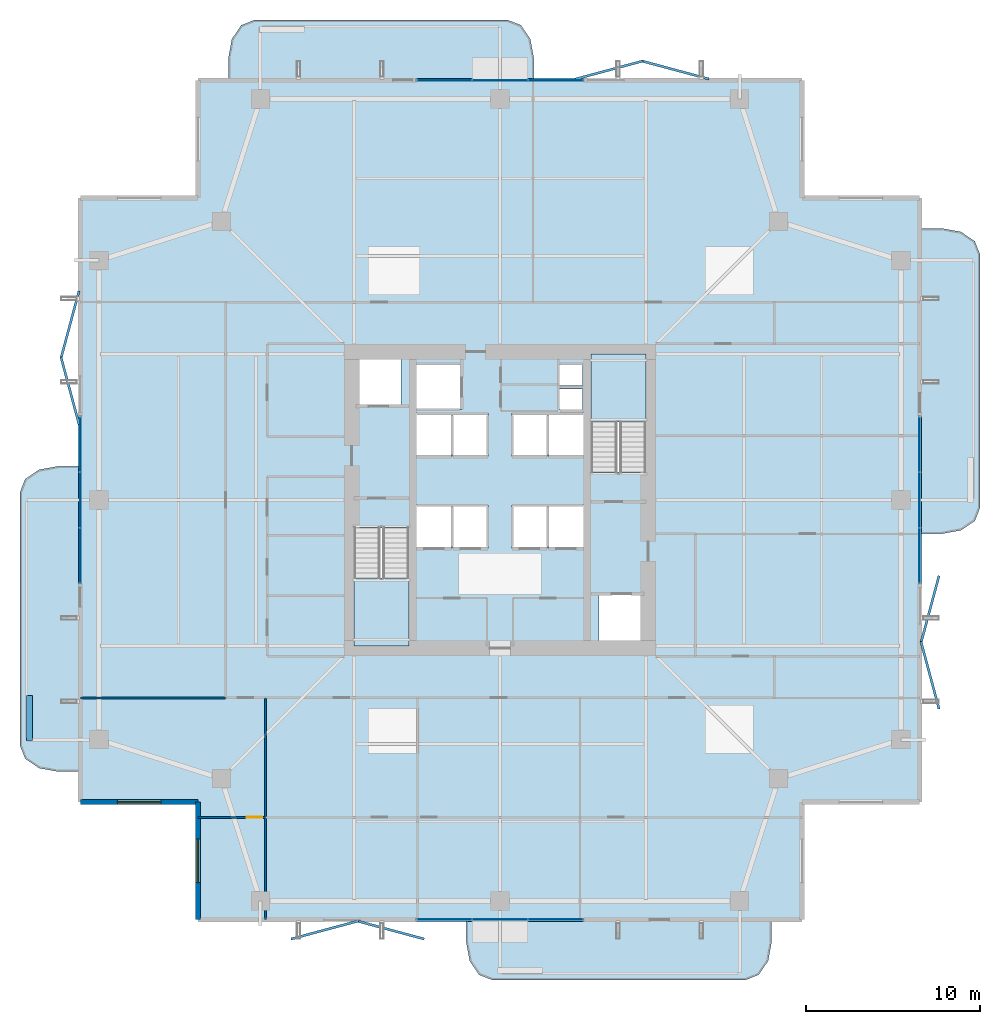
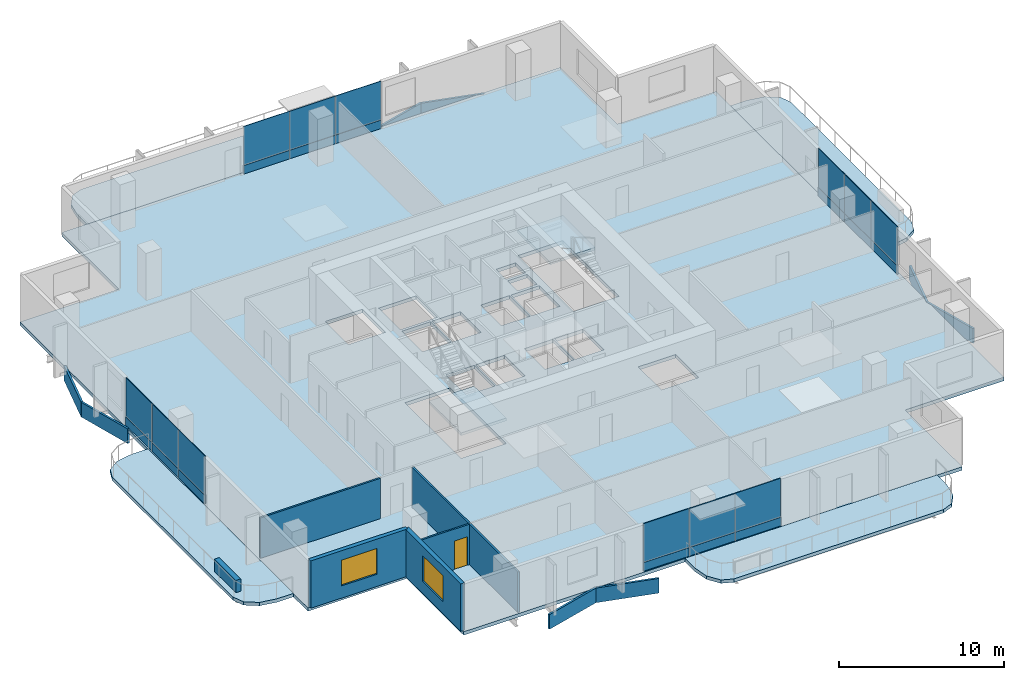
# One storey, part 17 of 25: 32 plates, 7 slabs, 6 walls, 2 windows, 1 door, 3 openings, 6 elements without a shape of their own.
"""IFC4 building model written with IfcOpenShell, lengths in metres."""

import ifcopenshell
import ifcopenshell.guid

model = None  # the IFC model being written
_history = None  # IfcOwnerHistory: only IFC2X3 demands one
_inside = {}  # id of a spatial element -> (the spatial element, [elements in it])
_under = {}  # id of a project, library or spatial element -> (it, [spatial elements below it])
_declared = {}  # id of a project -> (the project, [libraries it declares])
_typed = {}  # id of a type object -> (the type object, [elements of that type])
_made_of = {}  # id of a material, layer set ... -> (it, [elements and type objects made of it])


def new_model(schema):
    """Start an empty IFC model of exactly this schema.

    Asked for "IFC4X3", IfcOpenShell would pick the latest addendum, in which some entities
    have other attributes; the version numbers below select the first issue.
    IFC2X3 requires an IfcOwnerHistory on every rooted entity: one is made here for all.
    """
    global model, _history
    if schema == "IFC4X3":
        model = ifcopenshell.file(schema_version=(4, 3, 0, 0))
    else:
        model = ifcopenshell.file(schema=schema)
    _inside.clear()
    _under.clear()
    _declared.clear()
    _typed.clear()
    _made_of.clear()
    _history = None
    if model.schema == "IFC2X3":
        org = make("IfcOrganization", Name="unknown")
        user = make(
            "IfcPersonAndOrganization",
            ThePerson=make("IfcPerson", FamilyName="unknown"),
            TheOrganization=org,
        )
        app = make(
            "IfcApplication",
            ApplicationDeveloper=org,
            Version="unknown",
            ApplicationFullName="unknown",
            ApplicationIdentifier="unknown",
        )
        _history = make(
            "IfcOwnerHistory",
            OwningUser=user,
            OwningApplication=app,
            ChangeAction="ADDED",
            CreationDate=0,
        )
    return model


def make(cls, **values):
    """One entity of the class cls with the attributes given. An attribute that is None is left unset."""
    return model.create_entity(
        cls, **{name: value for name, value in values.items() if value is not None}
    )


def rooted(cls, **values):
    """An entity with a GlobalId (a new one), such as an element, a storey or a relation."""
    return make(cls, GlobalId=ifcopenshell.guid.new(), OwnerHistory=_history, **values)


def si_unit(unit_type, name, prefix=None):
    """IfcSIUnit, for example si_unit("LENGTHUNIT", "METRE", prefix="MILLI")."""
    return make("IfcSIUnit", UnitType=unit_type, Prefix=prefix, Name=name)


def assignment(units):
    """IfcUnitAssignment: the units of a project."""
    return None if units is None else make("IfcUnitAssignment", Units=units)


def point(xyz):
    """IfcCartesianPoint."""
    return None if xyz is None else make("IfcCartesianPoint", Coordinates=xyz)


def direction(xyz):
    """IfcDirection."""
    return None if xyz is None else make("IfcDirection", DirectionRatios=xyz)


def frame(location, z_axis=None, x_axis=None):
    """IfcAxis2Placement3D, a coordinate frame: its origin and axes. An axis left out is left unset."""
    return make(
        "IfcAxis2Placement3D",
        Location=point(location),
        Axis=direction(z_axis),
        RefDirection=direction(x_axis),
    )


def frame_2d(location, x_axis=None):
    """IfcAxis2Placement2D, a coordinate frame in the plane: its origin and x axis."""
    return make(
        "IfcAxis2Placement2D", Location=point(location), RefDirection=direction(x_axis)
    )


def origin():
    """The frame at (0, 0, 0) with its axes left unset."""
    return frame((0.0, 0.0, 0.0))


def origin_2d():
    """The frame at (0, 0) in the plane with its x axis left unset."""
    return frame_2d((0.0, 0.0))


def place(relative_to, where):
    """IfcLocalPlacement: puts the frame where relative to a parent placement (None: the world)."""
    return make(
        "IfcLocalPlacement", PlacementRelTo=relative_to, RelativePlacement=where
    )


def context(
    kind, dimensions, precision=None, world=None, true_north=None, identifier=None
):
    """IfcGeometricRepresentationContext, for example the 3D "Model" context."""
    return make(
        "IfcGeometricRepresentationContext",
        ContextIdentifier=identifier,
        ContextType=kind,
        CoordinateSpaceDimension=dimensions,
        Precision=precision,
        WorldCoordinateSystem=world,
        TrueNorth=true_north,
    )


def subcontext(parent, identifier, kind, view, scale=None):
    """IfcGeometricRepresentationSubContext, for example "Body" below "Model"."""
    return make(
        "IfcGeometricRepresentationSubContext",
        ContextIdentifier=identifier,
        ContextType=kind,
        ParentContext=parent,
        TargetScale=scale,
        TargetView=view,
    )


def project(units=None, contexts=None):
    """IfcProject with its units and contexts."""
    return rooted(
        "IfcProject",
        Name="project",
        RepresentationContexts=contexts,
        UnitsInContext=assignment(units),
    )


def spatial(cls, under=None, at=None, **own):
    """A site, building, storey or space (cls), placed at a placement, below another one or the project."""
    s = rooted(cls, ObjectPlacement=at, **own)
    if under is not None:
        _under.setdefault(under.id(), (under, []))[1].append(s)
    return s


def polyline(points):
    """IfcPolyline through the points."""
    return make("IfcPolyline", Points=[point(p) for p in points])


def profile(cls, at=None, kind="AREA", **sizes):
    """A parametric profile (cls). Its sizes go by their IFC names, for example OverallWidth=200.0."""
    return make(cls, ProfileType=kind, Position=at, **sizes)


def rectangle(**sizes):
    """IfcRectangleProfileDef."""
    return profile("IfcRectangleProfileDef", **sizes)


def outline(outer, holes=None, kind="AREA"):
    """IfcArbitraryClosedProfileDef: a profile drawn as a closed curve; with holes, ...WithVoids."""
    if holes is None:
        return make("IfcArbitraryClosedProfileDef", ProfileType=kind, OuterCurve=outer)
    return make(
        "IfcArbitraryProfileDefWithVoids",
        ProfileType=kind,
        OuterCurve=outer,
        InnerCurves=holes,
    )


def extrude(swept, where, along, depth):
    """IfcExtrudedAreaSolid: the profile swept, set in the frame where, extruded along a direction by depth."""
    return make(
        "IfcExtrudedAreaSolid",
        SweptArea=swept,
        Position=where,
        ExtrudedDirection=direction(along),
        Depth=depth,
    )


def shape(context_of_items, identifier, shape_type, items):
    """IfcShapeRepresentation: the items that make up one representation, for example the "Body"."""
    return make(
        "IfcShapeRepresentation",
        ContextOfItems=context_of_items,
        RepresentationIdentifier=identifier,
        RepresentationType=shape_type,
        Items=items,
    )


def material(Name=None, Category=None):
    """IfcMaterial."""
    return make("IfcMaterial", Name=Name, Category=Category)


def layer(
    of_material, thickness, ventilated=None, Name=None, Category=None, Priority=None
):
    """IfcMaterialLayer: one layer of a wall or slab, of a material (None: an air gap)."""
    return make(
        "IfcMaterialLayer",
        Material=of_material,
        LayerThickness=thickness,
        IsVentilated=ventilated,
        Name=Name,
        Category=Category,
        Priority=Priority,
    )


def layer_set(layers, Name=None):
    """IfcMaterialLayerSet."""
    return make("IfcMaterialLayerSet", MaterialLayers=layers, LayerSetName=Name)


def made_of(thing, what):
    """Note that an element or type object is made of a material, layer set ...; save() writes the relation."""
    if what is not None:
        _made_of.setdefault(what.id(), (what, []))[1].append(thing)
    return thing


def type_object(cls, material=None, **own):
    """A type object (cls), such as IfcWallType, which elements share."""
    return made_of(rooted(cls, **own), material)


def element(
    cls,
    number,
    at=None,
    inside=None,
    cuts=None,
    type_object=None,
    material=None,
    context=None,
    identifier="Body",
    shape_type=None,
    held_by="IfcProductDefinitionShape",
    body=None,
    shapes=None,
    **own,
):
    """One element of the class cls, such as IfcWall. Its Tag is "e" and its number.

    at: its placement. inside: the storey or other place that contains it. cuts: it is an
    opening in that element (IfcRelVoidsElement). A single representation is given by context,
    identifier, shape_type and body (its items); several are given by shapes. held_by: the class
    of the entity that holds the representations. save() writes the other relations.
    """
    e = rooted(cls, Tag="e%d" % number, ObjectPlacement=at, **own)
    if body is not None:
        shapes = [shape(context, identifier, shape_type, body)]
    if shapes is not None:
        e.Representation = make(held_by, Representations=shapes)
    if inside is not None:
        _inside.setdefault(inside.id(), (inside, []))[1].append(e)
    if cuts is not None:
        rooted(
            "IfcRelVoidsElement", RelatingBuildingElement=cuts, RelatedOpeningElement=e
        )
    if type_object is not None:
        _typed.setdefault(type_object.id(), (type_object, []))[1].append(e)
    return made_of(e, material)


def fill(opening, filler):
    """IfcRelFillsElement: the door or window that sits in an opening."""
    return rooted(
        "IfcRelFillsElement",
        RelatingOpeningElement=opening,
        RelatedBuildingElement=filler,
    )


def aggregate(whole, parts):
    """IfcRelAggregates: a whole, such as a stair, and the parts it consists of."""
    return rooted("IfcRelAggregates", RelatingObject=whole, RelatedObjects=parts)


def save(model, path):
    """Write the relations noted so far, then the file.

    IfcRelAggregates (storeys below a building ...), IfcRelContainedInSpatialStructure (elements
    in a storey), IfcRelDefinesByType, IfcRelAssociatesMaterial and IfcRelDeclares: one each for
    every whole, place, type object, material and project.
    """
    for whole, parts in _under.values():
        aggregate(whole, parts)
    for where, things in _inside.values():
        rooted(
            "IfcRelContainedInSpatialStructure",
            RelatedElements=things,
            RelatingStructure=where,
        )
    for kind, things in _typed.values():
        rooted("IfcRelDefinesByType", RelatedObjects=things, RelatingType=kind)
    for what, things in _made_of.values():
        rooted("IfcRelAssociatesMaterial", RelatedObjects=things, RelatingMaterial=what)
    for by, libraries in _declared.values():
        rooted("IfcRelDeclares", RelatingContext=by, RelatedDefinitions=libraries)
    model.write(path)


model = new_model("IFC4")

# Units and contexts
model_context = context("Model", 3, precision=1e-05, world=origin(), true_north=direction((0.0, 1.0)))
body_context = subcontext(model_context, "Body", "Model", "MODEL_VIEW")
ifc_project = project(units=[si_unit("LENGTHUNIT", "METRE"), si_unit("AREAUNIT", "SQUARE_METRE"), si_unit("VOLUMEUNIT", "CUBIC_METRE"), si_unit("PLANEANGLEUNIT", "RADIAN"), si_unit("MASSUNIT", "GRAM", prefix="KILO")], contexts=[model_context])

# Site, building, storey
site_placement = place(None, origin())
site = spatial("IfcSite", under=ifc_project, at=site_placement, CompositionType="ELEMENT")
building_placement = place(site_placement, origin())
building = spatial("IfcBuilding", under=site, at=building_placement, Name="Belovzor Exchange Tower", CompositionType="ELEMENT")
storey_placement = place(building_placement, frame((0.0, 0.0, 187.050048828125)))
storey = spatial("IfcBuildingStorey", under=building, at=storey_placement, Name="L46", CompositionType="ELEMENT", Elevation=187.050048828125)

# Slab
ifc_material_1 = material(Name="Concrete C40/50", Category="concrete")
ifc_layer_1 = layer(ifc_material_1, 0.2548828125)
ifc_layer_set_1 = layer_set([ifc_layer_1], Name="Concrete C40/50")
slab_type_1 = type_object("IfcSlabType", Name="Composite Waist Floor Deck Slab 255", PredefinedType="FLOOR", material=ifc_layer_set_1)
slab_1_placement = place(storey_placement, frame((0.0, 0.0, -0.255126953125)))
element("IfcSlab", 1, at=slab_1_placement, inside=storey, type_object=slab_type_1, Name="SL-F255 Structural Slab L46", PredefinedType="FLOOR", context=body_context, shape_type="SweptSolid", body=[
    extrude(outline(polyline([(11.39990234375, 4.5), (46.199951171875, 4.5), (46.199951171875, 11.39990234375), (53.10009765625, 11.39990234375), (53.10009765625, 46.199951171875), (46.199951171875, 46.199951171875), (46.199951171875, 53.10009765625), (11.39990234375, 53.10009765625), (11.39990234375, 46.199951171875), (4.5, 46.199951171875), (4.5, 11.39990234375), (11.39990234375, 11.39990234375), (11.39990234375, 4.5)]), holes=[polyline([(20.39990234375, 27.175048828125), (20.39990234375, 20.39990234375), (23.550048828125, 20.39990234375), (23.550048828125, 27.175048828125), (20.39990234375, 27.175048828125)]), polyline([(37.199951171875, 30.425048828125), (37.199951171875, 37.199951171875), (34.050048828125, 37.199951171875), (34.050048828125, 30.425048828125), (37.199951171875, 30.425048828125)]), polyline([(20.5, 34.199951171875), (23.10009765625, 34.199951171875), (23.10009765625, 37.0), (20.5, 37.0), (20.5, 34.199951171875)]), polyline([(34.5, 20.60009765625), (37.10009765625, 20.60009765625), (37.10009765625, 23.39990234375), (34.5, 23.39990234375), (34.5, 20.60009765625)]), polyline([(24.0, 34.0), (26.60009765625, 34.0), (26.60009765625, 36.60009765625), (24.0, 36.60009765625), (24.0, 34.0)]), polyline([(24.0, 26.0), (26.0, 26.0), (26.0, 28.5), (24.0, 28.5), (24.0, 26.0)]), polyline([(26.10009765625, 26.0), (28.10009765625, 26.0), (28.10009765625, 28.5), (26.10009765625, 28.5), (26.10009765625, 26.0)]), polyline([(29.5, 26.0), (31.5, 26.0), (31.5, 28.5), (29.5, 28.5), (29.5, 26.0)]), polyline([(31.60009765625, 26.0), (33.60009765625, 26.0), (33.60009765625, 28.5), (31.60009765625, 28.5), (31.60009765625, 26.0)]), polyline([(24.0, 31.300048828125), (26.0, 31.300048828125), (26.0, 33.800048828125), (24.0, 33.800048828125), (24.0, 31.300048828125)]), polyline([(26.10009765625, 31.300048828125), (28.10009765625, 31.300048828125), (28.10009765625, 33.800048828125), (26.10009765625, 33.800048828125), (26.10009765625, 31.300048828125)]), polyline([(29.5, 31.300048828125), (31.5, 31.300048828125), (31.5, 33.800048828125), (29.5, 33.800048828125), (29.5, 31.300048828125)]), polyline([(31.60009765625, 31.300048828125), (33.60009765625, 31.300048828125), (33.60009765625, 33.800048828125), (31.60009765625, 33.800048828125), (31.60009765625, 31.300048828125)]), polyline([(32.199951171875, 34.0), (33.550048828125, 34.0), (33.550048828125, 35.199951171875), (32.199951171875, 35.199951171875), (32.199951171875, 34.0)]), polyline([(32.199951171875, 35.39990234375), (33.550048828125, 35.39990234375), (33.550048828125, 36.60009765625), (32.199951171875, 36.60009765625), (32.199951171875, 35.39990234375)])]), origin(), (0.0, 0.0, 1.0), 0.255126953125),
])

# Curtain wall, plates
ifc_material_2 = material(Name="Anodised Aluminium Framing", Category="aluminium")
ifc_layer_2 = layer(ifc_material_2, 0.179931640625)
ifc_layer_set_2 = layer_set([ifc_layer_2], Name="Anodised Aluminium Framing")
curtain_wall_type = type_object("IfcCurtainWallType", Name="Recessed Loggia Low-Iron Triple-Glazed Curtain Wall", PredefinedType="NOTDEFINED", material=ifc_layer_set_2)
curtain_wall_1_placement = place(storey_placement, origin())
curtain_wall_1 = element("IfcCurtainWall", 2, at=curtain_wall_1_placement, inside=storey, type_object=curtain_wall_type, Name="CW3 Recessed Loggia Low-Iron Triple-Glazed Curtain Wall L46", PredefinedType="NOTDEFINED")
ifc_material_3 = material(Name="Solar-Control Triple Glazing", Category="glass")
ifc_layer_3 = layer(ifc_material_3, 0.0439453125)
ifc_layer_set_3 = layer_set([ifc_layer_3], Name="Solar-Control Triple Glazing")
plate_type_1 = type_object("IfcPlateType", Name="Insulated Solar Glazing Curtain Panel 44", PredefinedType="CURTAIN_PANEL", material=ifc_layer_set_3)
plate_1_placement = place(storey_placement, frame((32.0, 4.6298828125, 0.630859375), z_axis=(0.0, 0.0, 1.0), x_axis=(-1.0, 0.0, 0.0)))
plate_1 = element("IfcPlate", 3, at=plate_1_placement, type_object=plate_type_1, Name="GLZ-44 Glazed Curtain Panel 1", PredefinedType="CURTAIN_PANEL", context=body_context, shape_type="SweptSolid", body=[
    extrude(rectangle(XDim=3.18408203125, YDim=0.0439453125, at=origin_2d()), origin(), (0.0, 0.0, 1.0), 2.864013671875),
])
plate_2_placement = place(storey_placement, frame((28.800048828125, 4.6298828125, 0.630859375), z_axis=(0.0, 0.0, 1.0), x_axis=(-1.0, 0.0, 0.0)))
plate_2 = element("IfcPlate", 4, at=plate_2_placement, type_object=plate_type_1, Name="GLZ-44 Glazed Curtain Panel 2", PredefinedType="CURTAIN_PANEL", context=body_context, shape_type="SweptSolid", body=[
    extrude(rectangle(XDim=3.18408203125, YDim=0.0439453125, at=origin_2d()), origin(), (0.0, 0.0, 1.0), 2.864013671875),
])
plate_3_placement = place(storey_placement, frame((25.60009765625, 4.6298828125, 0.630859375), z_axis=(0.0, 0.0, 1.0), x_axis=(-1.0, 0.0, 0.0)))
plate_3 = element("IfcPlate", 5, at=plate_3_placement, type_object=plate_type_1, Name="GLZ-44 Glazed Curtain Panel 3", PredefinedType="CURTAIN_PANEL", context=body_context, shape_type="SweptSolid", body=[
    extrude(rectangle(XDim=3.18408203125, YDim=0.0439453125, at=origin_2d()), origin(), (0.0, 0.0, 1.0), 2.864013671875),
])

curtain_wall_2_placement = place(storey_placement, origin())
curtain_wall_2 = element("IfcCurtainWall", 6, at=curtain_wall_2_placement, inside=storey, type_object=curtain_wall_type, Name="CW3 Recessed Loggia Low-Iron Triple-Glazed Curtain Wall L46", PredefinedType="NOTDEFINED")
plate_4_placement = place(storey_placement, frame((25.60009765625, 52.969970703125, 0.630859375), z_axis=(0.0, 0.0, 1.0), x_axis=(1.0, 0.0, 0.0)))
plate_4 = element("IfcPlate", 7, at=plate_4_placement, type_object=plate_type_1, Name="GLZ-44 Glazed Curtain Panel 1", PredefinedType="CURTAIN_PANEL", context=body_context, shape_type="SweptSolid", body=[
    extrude(rectangle(XDim=3.18408203125, YDim=0.0439453125, at=origin_2d()), origin(), (0.0, 0.0, 1.0), 2.864013671875),
])
plate_5_placement = place(storey_placement, frame((28.800048828125, 52.969970703125, 0.630859375), z_axis=(0.0, 0.0, 1.0), x_axis=(1.0, 0.0, 0.0)))
plate_5 = element("IfcPlate", 8, at=plate_5_placement, type_object=plate_type_1, Name="GLZ-44 Glazed Curtain Panel 2", PredefinedType="CURTAIN_PANEL", context=body_context, shape_type="SweptSolid", body=[
    extrude(rectangle(XDim=3.18408203125, YDim=0.0439453125, at=origin_2d()), origin(), (0.0, 0.0, 1.0), 2.864013671875),
])
plate_6_placement = place(storey_placement, frame((32.0, 52.969970703125, 0.630859375), z_axis=(0.0, 0.0, 1.0), x_axis=(1.0, 0.0, 0.0)))
plate_6 = element("IfcPlate", 9, at=plate_6_placement, type_object=plate_type_1, Name="GLZ-44 Glazed Curtain Panel 3", PredefinedType="CURTAIN_PANEL", context=body_context, shape_type="SweptSolid", body=[
    extrude(rectangle(XDim=3.18408203125, YDim=0.0439453125, at=origin_2d()), origin(), (0.0, 0.0, 1.0), 2.864013671875),
])

curtain_wall_3_placement = place(storey_placement, origin())
curtain_wall_3 = element("IfcCurtainWall", 10, at=curtain_wall_3_placement, inside=storey, type_object=curtain_wall_type, Name="CW3 Recessed Loggia Low-Iron Triple-Glazed Curtain Wall L46", PredefinedType="NOTDEFINED")
plate_7_placement = place(storey_placement, frame((4.6298828125, 25.60009765625, 0.630859375), z_axis=(0.0, 0.0, 1.0), x_axis=(0.0, 1.0, 0.0)))
plate_7 = element("IfcPlate", 11, at=plate_7_placement, type_object=plate_type_1, Name="GLZ-44 Glazed Curtain Panel 1", PredefinedType="CURTAIN_PANEL", context=body_context, shape_type="SweptSolid", body=[
    extrude(rectangle(XDim=3.18408203125, YDim=0.0439453125, at=origin_2d()), origin(), (0.0, 0.0, 1.0), 2.864013671875),
])
plate_8_placement = place(storey_placement, frame((4.6298828125, 28.800048828125, 0.630859375), z_axis=(0.0, 0.0, 1.0), x_axis=(0.0, 1.0, 0.0)))
plate_8 = element("IfcPlate", 12, at=plate_8_placement, type_object=plate_type_1, Name="GLZ-44 Glazed Curtain Panel 2", PredefinedType="CURTAIN_PANEL", context=body_context, shape_type="SweptSolid", body=[
    extrude(rectangle(XDim=3.18408203125, YDim=0.0439453125, at=origin_2d()), origin(), (0.0, 0.0, 1.0), 2.864013671875),
])
plate_9_placement = place(storey_placement, frame((4.6298828125, 32.0, 0.630859375), z_axis=(0.0, 0.0, 1.0), x_axis=(0.0, 1.0, 0.0)))
plate_9 = element("IfcPlate", 13, at=plate_9_placement, type_object=plate_type_1, Name="GLZ-44 Glazed Curtain Panel 3", PredefinedType="CURTAIN_PANEL", context=body_context, shape_type="SweptSolid", body=[
    extrude(rectangle(XDim=3.18408203125, YDim=0.0439453125, at=origin_2d()), origin(), (0.0, 0.0, 1.0), 2.864013671875),
])

curtain_wall_4_placement = place(storey_placement, origin())
curtain_wall_4 = element("IfcCurtainWall", 14, at=curtain_wall_4_placement, inside=storey, type_object=curtain_wall_type, Name="CW3 Recessed Loggia Low-Iron Triple-Glazed Curtain Wall L46", PredefinedType="NOTDEFINED")
plate_10_placement = place(storey_placement, frame((52.969970703125, 32.0, 0.630859375), z_axis=(0.0, 0.0, 1.0), x_axis=(0.0, -1.0, 0.0)))
plate_10 = element("IfcPlate", 15, at=plate_10_placement, type_object=plate_type_1, Name="GLZ-44 Glazed Curtain Panel 1", PredefinedType="CURTAIN_PANEL", context=body_context, shape_type="SweptSolid", body=[
    extrude(rectangle(XDim=3.18408203125, YDim=0.0439453125, at=origin_2d()), origin(), (0.0, 0.0, 1.0), 2.864013671875),
])
plate_11_placement = place(storey_placement, frame((52.969970703125, 28.800048828125, 0.630859375), z_axis=(0.0, 0.0, 1.0), x_axis=(0.0, -1.0, 0.0)))
plate_11 = element("IfcPlate", 16, at=plate_11_placement, type_object=plate_type_1, Name="GLZ-44 Glazed Curtain Panel 2", PredefinedType="CURTAIN_PANEL", context=body_context, shape_type="SweptSolid", body=[
    extrude(rectangle(XDim=3.18408203125, YDim=0.0439453125, at=origin_2d()), origin(), (0.0, 0.0, 1.0), 2.864013671875),
])
plate_12_placement = place(storey_placement, frame((52.969970703125, 25.60009765625, 0.630859375), z_axis=(0.0, 0.0, 1.0), x_axis=(0.0, -1.0, 0.0)))
plate_12 = element("IfcPlate", 17, at=plate_12_placement, type_object=plate_type_1, Name="GLZ-44 Glazed Curtain Panel 3", PredefinedType="CURTAIN_PANEL", context=body_context, shape_type="SweptSolid", body=[
    extrude(rectangle(XDim=3.18408203125, YDim=0.0439453125, at=origin_2d()), origin(), (0.0, 0.0, 1.0), 2.864013671875),
])

# Plates
ifc_material_4 = material(Name="Extruded Architectural Terracotta", Category="masonry")
ifc_layer_4 = layer(ifc_material_4, 0.139892578125)
ifc_layer_set_4 = layer_set([ifc_layer_4], Name="Extruded Architectural Terracotta")
plate_type_2 = type_object("IfcPlateType", Name="Mid-Tower Folded Zigzag Terracotta Spandrel Louvre 120", PredefinedType="USERDEFINED", material=ifc_layer_set_4)
for number, where, z_axis, x_axis, name in (
    (18, (18.699951171875, 4.030029296875, -1.065185546875), (0.0, 0.0, 1.0), (0.965812803231, 0.259240485101, 0.0), "LVR-ZZ2 Zigzag Terracotta Spandrel Louvre L46 S1A"),
    (19, (22.5, 4.030029296875, -1.065185546875), (0.0, 0.0, 1.0), (0.965812803231, -0.259240485101, 0.0), "LVR-ZZ2 Zigzag Terracotta Spandrel Louvre L46 S1B"),
    (20, (53.570068359375, 18.699951171875, -1.065185546875), (0.0, 0.0, 1.0), (-0.259240485101, 0.965812803231, 0.0), "LVR-ZZ2 Zigzag Terracotta Spandrel Louvre L46 E1A"),
    (21, (53.570068359375, 22.5, -1.065185546875), (0.0, 0.0, 1.0), (0.259240485101, 0.965812803231, 0.0), "LVR-ZZ2 Zigzag Terracotta Spandrel Louvre L46 E1B"),
    (22, (35.10009765625, 53.570068359375, -1.065185546875), (0.0, 0.0, 1.0), (0.965812803231, 0.259240485101, 0.0), "LVR-ZZ2 Zigzag Terracotta Spandrel Louvre L46 N2A"),
    (23, (38.89990234375, 53.570068359375, -1.065185546875), (0.0, 0.0, 1.0), (0.965812803231, -0.259240485101, 0.0), "LVR-ZZ2 Zigzag Terracotta Spandrel Louvre L46 N2B"),
    (24, (4.030029296875, 35.10009765625, -1.065185546875), (0.0, 0.0, 1.0), (-0.259240485101, 0.965812803231, 0.0), "LVR-ZZ2 Zigzag Terracotta Spandrel Louvre L46 W2A"),
    (25, (4.030029296875, 38.89990234375, -1.065185546875), (0.0, 0.0, 1.0), (0.259240485101, 0.965812803231, 0.0), "LVR-ZZ2 Zigzag Terracotta Spandrel Louvre L46 W2B"),
):
    element("IfcPlate", number, at=place(storey_placement, frame(where, z_axis=z_axis, x_axis=x_axis)), inside=storey, type_object=plate_type_2, Name=name, ObjectType="SPANDREL_LOUVRE", PredefinedType="USERDEFINED", context=body_context, shape_type="SweptSolid", body=[
        extrude(rectangle(XDim=4.014892578125, YDim=0.139892578125, at=origin_2d()), origin(), (0.0, 0.0, 1.0), 1.080078125),
    ])

# Stair, slab
ifc_material_5 = material(Name="Concrete C40/50", Category="concrete")
stair_type = type_object("IfcStairType", Name="Reinforced Concrete Dogleg Escape Stair 1350", PredefinedType="HALF_TURN_STAIR", material=ifc_material_5)
stair_1_placement = place(storey_placement, origin())
stair_1 = element("IfcStair", 26, at=stair_1_placement, inside=storey, type_object=stair_type, Name="L46 ST-1", PredefinedType="HALF_TURN_STAIR")
ifc_material_6 = material(Name="Concrete C40/50", Category="concrete")
ifc_layer_5 = layer(ifc_material_6, 0.199951171875)
ifc_layer_set_5 = layer_set([ifc_layer_5], Name="Concrete C40/50")
slab_type_2 = type_object("IfcSlabType", Name="Reinforced Concrete Stair Half-Landing Slab 200", PredefinedType="LANDING", material=ifc_layer_set_5)
slab_2_placement = place(storey_placement, frame((0.0, 0.0, 1.675048828125)))
slab_2 = element("IfcSlab", 27, at=slab_2_placement, type_object=slab_type_2, Name="ST-1 landing 1", PredefinedType="LANDING", context=body_context, shape_type="SweptSolid", body=[
    extrude(outline(polyline([(20.39990234375, 24.300048828125), (20.39990234375, 20.39990234375), (23.550048828125, 20.39990234375), (23.550048828125, 24.300048828125), (20.39990234375, 24.300048828125)])), origin(), (0.0, 0.0, 1.0), 0.199951171875),
])
aggregate(stair_1, [slab_2])

stair_2_placement = place(storey_placement, origin())
stair_2 = element("IfcStair", 28, at=stair_2_placement, inside=storey, type_object=stair_type, Name="L46 ST-2", PredefinedType="HALF_TURN_STAIR")
slab_3_placement = place(storey_placement, frame((0.0, 0.0, 1.675048828125)))
slab_3 = element("IfcSlab", 29, at=slab_3_placement, type_object=slab_type_2, Name="ST-2 landing 1", PredefinedType="LANDING", context=body_context, shape_type="SweptSolid", body=[
    extrude(outline(polyline([(37.199951171875, 33.300048828125), (37.199951171875, 37.199951171875), (34.050048828125, 37.199951171875), (34.050048828125, 33.300048828125), (37.199951171875, 33.300048828125)])), origin(), (0.0, 0.0, 1.0), 0.199951171875),
])
aggregate(stair_2, [slab_3])

# Plate
ifc_material_7 = material(Name="Extruded Architectural Terracotta", Category="masonry")
ifc_layer_6 = layer(ifc_material_7, 0.090087890625)
ifc_layer_set_6 = layer_set([ifc_layer_6], Name="Extruded Architectural Terracotta")
plate_type_3 = type_object("IfcPlateType", Name="Terracotta Shadow-Box Spandrel Panel 90", PredefinedType="CURTAIN_PANEL", material=ifc_layer_set_6)
plate_13_placement = place(storey_placement, frame((32.0, 4.6298828125, 0.00048828125), z_axis=(0.0, 0.0, 1.0), x_axis=(-1.0, 0.0, 0.0)))
plate_13 = element("IfcPlate", 30, at=plate_13_placement, type_object=plate_type_3, Name="SPD-90 Spandrel Panel 1", PredefinedType="CURTAIN_PANEL", context=body_context, shape_type="SweptSolid", body=[
    extrude(rectangle(XDim=3.18408203125, YDim=0.090087890625, at=origin_2d()), origin(), (0.0, 0.0, 1.0), 0.626953125),
])

plate_14_placement = place(storey_placement, frame((28.800048828125, 4.6298828125, 0.00048828125), z_axis=(0.0, 0.0, 1.0), x_axis=(-1.0, 0.0, 0.0)))
plate_14 = element("IfcPlate", 31, at=plate_14_placement, type_object=plate_type_3, Name="SPD-90 Spandrel Panel 2", PredefinedType="CURTAIN_PANEL", context=body_context, shape_type="SweptSolid", body=[
    extrude(rectangle(XDim=3.18408203125, YDim=0.090087890625, at=origin_2d()), origin(), (0.0, 0.0, 1.0), 0.626953125),
])

plate_15_placement = place(storey_placement, frame((25.60009765625, 4.6298828125, 0.00048828125), z_axis=(0.0, 0.0, 1.0), x_axis=(-1.0, 0.0, 0.0)))
plate_15 = element("IfcPlate", 32, at=plate_15_placement, type_object=plate_type_3, Name="SPD-90 Spandrel Panel 3", PredefinedType="CURTAIN_PANEL", context=body_context, shape_type="SweptSolid", body=[
    extrude(rectangle(XDim=3.18408203125, YDim=0.090087890625, at=origin_2d()), origin(), (0.0, 0.0, 1.0), 0.626953125),
])

aggregate(curtain_wall_1, [plate_13, plate_1, plate_14, plate_2, plate_15, plate_3])

plate_16_placement = place(storey_placement, frame((25.60009765625, 52.969970703125, 0.00048828125), z_axis=(0.0, 0.0, 1.0), x_axis=(1.0, 0.0, 0.0)))
plate_16 = element("IfcPlate", 33, at=plate_16_placement, type_object=plate_type_3, Name="SPD-90 Spandrel Panel 1", PredefinedType="CURTAIN_PANEL", context=body_context, shape_type="SweptSolid", body=[
    extrude(rectangle(XDim=3.18408203125, YDim=0.090087890625, at=origin_2d()), origin(), (0.0, 0.0, 1.0), 0.626953125),
])

plate_17_placement = place(storey_placement, frame((28.800048828125, 52.969970703125, 0.00048828125), z_axis=(0.0, 0.0, 1.0), x_axis=(1.0, 0.0, 0.0)))
plate_17 = element("IfcPlate", 34, at=plate_17_placement, type_object=plate_type_3, Name="SPD-90 Spandrel Panel 2", PredefinedType="CURTAIN_PANEL", context=body_context, shape_type="SweptSolid", body=[
    extrude(rectangle(XDim=3.18408203125, YDim=0.090087890625, at=origin_2d()), origin(), (0.0, 0.0, 1.0), 0.626953125),
])

plate_18_placement = place(storey_placement, frame((32.0, 52.969970703125, 0.00048828125), z_axis=(0.0, 0.0, 1.0), x_axis=(1.0, 0.0, 0.0)))
plate_18 = element("IfcPlate", 35, at=plate_18_placement, type_object=plate_type_3, Name="SPD-90 Spandrel Panel 3", PredefinedType="CURTAIN_PANEL", context=body_context, shape_type="SweptSolid", body=[
    extrude(rectangle(XDim=3.18408203125, YDim=0.090087890625, at=origin_2d()), origin(), (0.0, 0.0, 1.0), 0.626953125),
])

aggregate(curtain_wall_2, [plate_16, plate_4, plate_17, plate_5, plate_18, plate_6])

plate_19_placement = place(storey_placement, frame((4.6298828125, 25.60009765625, 0.00048828125), z_axis=(0.0, 0.0, 1.0), x_axis=(0.0, 1.0, 0.0)))
plate_19 = element("IfcPlate", 36, at=plate_19_placement, type_object=plate_type_3, Name="SPD-90 Spandrel Panel 1", PredefinedType="CURTAIN_PANEL", context=body_context, shape_type="SweptSolid", body=[
    extrude(rectangle(XDim=3.18408203125, YDim=0.090087890625, at=origin_2d()), origin(), (0.0, 0.0, 1.0), 0.626953125),
])

plate_20_placement = place(storey_placement, frame((4.6298828125, 28.800048828125, 0.00048828125), z_axis=(0.0, 0.0, 1.0), x_axis=(0.0, 1.0, 0.0)))
plate_20 = element("IfcPlate", 37, at=plate_20_placement, type_object=plate_type_3, Name="SPD-90 Spandrel Panel 2", PredefinedType="CURTAIN_PANEL", context=body_context, shape_type="SweptSolid", body=[
    extrude(rectangle(XDim=3.18408203125, YDim=0.090087890625, at=origin_2d()), origin(), (0.0, 0.0, 1.0), 0.626953125),
])

plate_21_placement = place(storey_placement, frame((4.6298828125, 32.0, 0.00048828125), z_axis=(0.0, 0.0, 1.0), x_axis=(0.0, 1.0, 0.0)))
plate_21 = element("IfcPlate", 38, at=plate_21_placement, type_object=plate_type_3, Name="SPD-90 Spandrel Panel 3", PredefinedType="CURTAIN_PANEL", context=body_context, shape_type="SweptSolid", body=[
    extrude(rectangle(XDim=3.18408203125, YDim=0.090087890625, at=origin_2d()), origin(), (0.0, 0.0, 1.0), 0.626953125),
])

aggregate(curtain_wall_3, [plate_19, plate_7, plate_20, plate_8, plate_21, plate_9])

plate_22_placement = place(storey_placement, frame((52.969970703125, 32.0, 0.00048828125), z_axis=(0.0, 0.0, 1.0), x_axis=(0.0, -1.0, 0.0)))
plate_22 = element("IfcPlate", 39, at=plate_22_placement, type_object=plate_type_3, Name="SPD-90 Spandrel Panel 1", PredefinedType="CURTAIN_PANEL", context=body_context, shape_type="SweptSolid", body=[
    extrude(rectangle(XDim=3.18408203125, YDim=0.090087890625, at=origin_2d()), origin(), (0.0, 0.0, 1.0), 0.626953125),
])

plate_23_placement = place(storey_placement, frame((52.969970703125, 28.800048828125, 0.00048828125), z_axis=(0.0, 0.0, 1.0), x_axis=(0.0, -1.0, 0.0)))
plate_23 = element("IfcPlate", 40, at=plate_23_placement, type_object=plate_type_3, Name="SPD-90 Spandrel Panel 2", PredefinedType="CURTAIN_PANEL", context=body_context, shape_type="SweptSolid", body=[
    extrude(rectangle(XDim=3.18408203125, YDim=0.090087890625, at=origin_2d()), origin(), (0.0, 0.0, 1.0), 0.626953125),
])

plate_24_placement = place(storey_placement, frame((52.969970703125, 25.60009765625, 0.00048828125), z_axis=(0.0, 0.0, 1.0), x_axis=(0.0, -1.0, 0.0)))
plate_24 = element("IfcPlate", 41, at=plate_24_placement, type_object=plate_type_3, Name="SPD-90 Spandrel Panel 3", PredefinedType="CURTAIN_PANEL", context=body_context, shape_type="SweptSolid", body=[
    extrude(rectangle(XDim=3.18408203125, YDim=0.090087890625, at=origin_2d()), origin(), (0.0, 0.0, 1.0), 0.626953125),
])

aggregate(curtain_wall_4, [plate_22, plate_10, plate_23, plate_11, plate_24, plate_12])

# Slabs
ifc_material_8 = material(Name="Concrete C40/50", Category="concrete")
ifc_layer_7 = layer(ifc_material_8, 0.25)
ifc_layer_set_7 = layer_set([ifc_layer_7], Name="Concrete C40/50")
slab_type_3 = type_object("IfcSlabType", Name="Thermally Broken Planted Balcony Slab 250", PredefinedType="FLOOR", material=ifc_layer_set_7)
slab_4_placement = place(storey_placement, frame((0.0, 0.0, -0.25)))
element("IfcSlab", 42, at=slab_4_placement, inside=storey, type_object=slab_type_3, Name="SL-BAL220 Planted Balcony Loggia L46 South", PredefinedType="FLOOR", context=body_context, shape_type="SweptSolid", body=[
    extrude(outline(polyline([(26.85009765625, 4.514892578125), (26.85009765625, 3.35009765625), (27.051025390625, 2.25), (27.60009765625, 1.445068359375), (28.35009765625, 1.14990234375), (42.949951171875, 1.14990234375), (43.699951171875, 1.445068359375), (44.2490234375, 2.25), (44.449951171875, 3.35009765625), (44.449951171875, 4.514892578125), (26.85009765625, 4.514892578125)])), origin(), (0.0, 0.0, 1.0), 0.25),
])
slab_5_placement = place(storey_placement, frame((0.0, 0.0, -0.25)))
element("IfcSlab", 43, at=slab_5_placement, inside=storey, type_object=slab_type_3, Name="SL-BAL220 Planted Balcony Loggia L46 North", PredefinedType="FLOOR", context=body_context, shape_type="SweptSolid", body=[
    extrude(outline(polyline([(30.75, 53.0849609375), (30.75, 54.25), (30.549072265625, 55.35009765625), (30.0, 56.155029296875), (29.25, 56.449951171875), (14.64990234375, 56.449951171875), (13.89990234375, 56.155029296875), (13.35107421875, 55.35009765625), (13.14990234375, 54.25), (13.14990234375, 53.0849609375), (30.75, 53.0849609375)])), origin(), (0.0, 0.0, 1.0), 0.25),
])
slab_6_placement = place(storey_placement, frame((0.0, 0.0, -0.25)))
element("IfcSlab", 44, at=slab_6_placement, inside=storey, type_object=slab_type_3, Name="SL-BAL220 Planted Balcony Loggia L46 East", PredefinedType="FLOOR", context=body_context, shape_type="SweptSolid", body=[
    extrude(outline(polyline([(53.0849609375, 26.85009765625), (54.25, 26.85009765625), (55.35009765625, 27.051025390625), (56.155029296875, 27.60009765625), (56.449951171875, 28.35009765625), (56.449951171875, 42.949951171875), (56.155029296875, 43.699951171875), (55.35009765625, 44.2490234375), (54.25, 44.449951171875), (53.0849609375, 44.449951171875), (53.0849609375, 26.85009765625)])), origin(), (0.0, 0.0, 1.0), 0.25),
])
slab_7_placement = place(storey_placement, frame((0.0, 0.0, -0.25)))
element("IfcSlab", 45, at=slab_7_placement, inside=storey, type_object=slab_type_3, Name="SL-BAL220 Planted Balcony Loggia L46 West", PredefinedType="FLOOR", context=body_context, shape_type="SweptSolid", body=[
    extrude(outline(polyline([(4.514892578125, 30.75), (3.35009765625, 30.75), (2.25, 30.549072265625), (1.445068359375, 30.0), (1.14990234375, 29.25), (1.14990234375, 14.64990234375), (1.445068359375, 13.89990234375), (2.25, 13.35107421875), (3.35009765625, 13.14990234375), (4.514892578125, 13.14990234375), (4.514892578125, 30.75)])), origin(), (0.0, 0.0, 1.0), 0.25),
])

# Wall, opening, door
ifc_material_9 = material(Name="Acoustic Plasterboard on Galvanised Studs", Category="gypsum")
ifc_layer_8 = layer(ifc_material_9, 0.1201171875)
ifc_layer_set_8 = layer_set([ifc_layer_8], Name="Acoustic Plasterboard on Galvanised Studs")
wall_type_1 = type_object("IfcWallType", Name="Acoustic Double-Stud Partition Wall 120", PredefinedType="PARTITIONING", material=ifc_layer_set_8)
wall_1_placement = place(storey_placement, frame((11.39990234375, 10.51708984375, 0.0), z_axis=(0.0, 0.0, 1.0), x_axis=(1.0, 0.0, 0.0)))
wall_1 = element("IfcWall", 46, at=wall_1_placement, inside=storey, type_object=wall_type_1, Name="W-P120 Partition Wall W-L46-SHDIV-0", PredefinedType="PARTITIONING", context=body_context, shape_type="SweptSolid", body=[
    extrude(rectangle(XDim=3.900146484375, YDim=0.1201171875, at=frame_2d((1.9501953125, 0.0))), origin(), (0.0, 0.0, 1.0), 2.97998046875),
])
opening_1_placement = place(wall_1_placement, frame((2.800048828125, 0.0, 0.0)))
opening_1 = element("IfcOpeningElement", 47, at=opening_1_placement, cuts=wall_1, Name="Opening D-INT-090", PredefinedType="OPENING", context=body_context, shape_type="SweptSolid", body=[
    extrude(rectangle(XDim=0.89990234375, YDim=2.10009765625, at=frame_2d((0.449951171875, 1.050048828125))), frame((0.0, 0.070068359375, 0.0), z_axis=(0.0, -1.0, 0.0), x_axis=(1.0, 0.0, 0.0)), (0.0, 0.0, 1.0), 0.14013671875),
])
ifc_material_10 = material(Name="Veneered Hardwood Acoustic Leaf", Category="wood")
door_type = type_object("IfcDoorType", Name="Trading Suite Acoustic Single Door 900x2100", OperationType="NOTDEFINED", PredefinedType="DOOR", material=ifc_material_10)
door_placement = place(opening_1_placement, origin())
door = element("IfcDoor", 48, at=door_placement, inside=storey, type_object=door_type, Name="D-INT-090 Trading Suite Acoustic Single Door 900x2100", OperationType="SINGLE_SWING_LEFT", OverallHeight=2.10009765625, OverallWidth=0.89990234375, PredefinedType="DOOR", context=body_context, shape_type="SweptSolid", body=[
    extrude(rectangle(XDim=0.89990234375, YDim=2.10009765625, at=frame_2d((0.449951171875, 1.050048828125))), frame((0.0, 0.02490234375, 0.0), z_axis=(0.0, -1.0, 0.0), x_axis=(1.0, 0.0, 0.0)), (0.0, 0.0, 1.0), 0.050048828125),
])
fill(opening_1, door)

# Walls
wall_2_placement = place(storey_placement, frame((15.300048828125, 4.6298828125, 0.0), z_axis=(0.0, 0.0, 1.0), x_axis=(0.0, 1.0, 0.0)))
element("IfcWall", 49, at=wall_2_placement, inside=storey, type_object=wall_type_1, Name="W-P120 Partition Wall W-L46-SDIV-1", PredefinedType="PARTITIONING", context=body_context, shape_type="SweptSolid", body=[
    extrude(rectangle(XDim=12.77001953125, YDim=0.1201171875, at=frame_2d((6.385009765625, 0.0))), origin(), (0.0, 0.0, 1.0), 2.97998046875),
])
wall_3_placement = place(storey_placement, frame((4.6298828125, 17.39990234375, 0.0), z_axis=(0.0, 0.0, 1.0), x_axis=(1.0, 0.0, 0.0)))
element("IfcWall", 50, at=wall_3_placement, inside=storey, type_object=wall_type_1, Name="W-P120 Partition Wall W-L46-END-SW", PredefinedType="PARTITIONING", context=body_context, shape_type="SweptSolid", body=[
    extrude(rectangle(XDim=8.3701171875, YDim=0.1201171875, at=frame_2d((4.18505859375, 0.0))), origin(), (0.0, 0.0, 1.0), 2.97998046875),
])

# Wall, opening, window
ifc_material_11 = material(Name="Precast concrete C40/50", Category="concrete")
ifc_layer_9 = layer(ifc_material_11, 0.280029296875)
ifc_layer_set_9 = layer_set([ifc_layer_9], Name="Precast concrete C40/50")
wall_type_2 = type_object("IfcWallType", Name="Precast Concrete Notched Corner Frame Wall 280", PredefinedType="SOLIDWALL", material=ifc_layer_set_9)
wall_4_placement = place(storey_placement, frame((11.39990234375, 4.6298828125, 0.0), z_axis=(0.0, 0.0, 1.0), x_axis=(0.0, 1.0, 0.0)))
wall_4 = element("IfcWall", 51, at=wall_4_placement, inside=storey, type_object=wall_type_2, Name="W-CRN280 Precast Concrete Notched Corner Frame Wall 280 L46", PredefinedType="SOLIDWALL", context=body_context, shape_type="SweptSolid", body=[
    extrude(rectangle(XDim=6.77001953125, YDim=0.280029296875, at=frame_2d((3.385009765625, 0.0))), origin(), (0.0, 0.0, 1.0), 3.494873046875),
])
opening_2_placement = place(wall_4_placement, frame((2.135009765625, 0.0, 0.89990234375)))
opening_2 = element("IfcOpeningElement", 52, at=opening_2_placement, cuts=wall_4, Name="Opening WN-CRN250", PredefinedType="OPENING", context=body_context, shape_type="SweptSolid", body=[
    extrude(rectangle(XDim=2.5, YDim=1.89990234375, at=frame_2d((1.25, 0.949951171875))), frame((0.0, 0.14990234375, 0.0), z_axis=(0.0, -1.0, 0.0), x_axis=(1.0, 0.0, 0.0)), (0.0, 0.0, 1.0), 0.300048828125),
])
ifc_material_12 = material(Name="Thermally Broken Aluminium and Triple Glazing", Category="aluminium")
window_type = type_object("IfcWindowType", Name="Streamline Moderne Corner Wrap Ribbon Window 2500x1900", PartitioningType="SINGLE_PANEL", PredefinedType="WINDOW", material=ifc_material_12)
window_1_placement = place(opening_2_placement, origin())
window_1 = element("IfcWindow", 53, at=window_1_placement, inside=storey, type_object=window_type, Name="WN-CRN250 Streamline Moderne Corner Wrap Ribbon Window 2500x1900", OverallHeight=1.89990234375, OverallWidth=2.5, PartitioningType="SINGLE_PANEL", PredefinedType="WINDOW", context=body_context, shape_type="SweptSolid", body=[
    extrude(rectangle(XDim=2.5, YDim=1.89990234375, at=frame_2d((1.25, 0.949951171875))), frame((0.0, 0.030029296875, 0.0), z_axis=(0.0, -1.0, 0.0), x_axis=(1.0, 0.0, 0.0)), (0.0, 0.0, 1.0), 0.06005859375),
])
fill(opening_2, window_1)

wall_5_placement = place(storey_placement, frame((11.39990234375, 11.39990234375, 0.0), z_axis=(0.0, 0.0, 1.0), x_axis=(-1.0, 0.0, 0.0)))
wall_5 = element("IfcWall", 54, at=wall_5_placement, inside=storey, type_object=wall_type_2, Name="W-CRN280 Precast Concrete Notched Corner Frame Wall 280 L46", PredefinedType="SOLIDWALL", context=body_context, shape_type="SweptSolid", body=[
    extrude(rectangle(XDim=6.77001953125, YDim=0.280029296875, at=frame_2d((3.385009765625, 0.0))), origin(), (0.0, 0.0, 1.0), 3.494873046875),
])
opening_3_placement = place(wall_5_placement, frame((2.135009765625, 0.0, 0.89990234375)))
opening_3 = element("IfcOpeningElement", 55, at=opening_3_placement, cuts=wall_5, Name="Opening WN-CRN250", PredefinedType="OPENING", context=body_context, shape_type="SweptSolid", body=[
    extrude(rectangle(XDim=2.5, YDim=1.89990234375, at=frame_2d((1.25, 0.949951171875))), frame((0.0, 0.14990234375, 0.0), z_axis=(0.0, -1.0, 0.0), x_axis=(1.0, 0.0, 0.0)), (0.0, 0.0, 1.0), 0.300048828125),
])
window_2_placement = place(opening_3_placement, origin())
window_2 = element("IfcWindow", 56, at=window_2_placement, inside=storey, type_object=window_type, Name="WN-CRN250 Streamline Moderne Corner Wrap Ribbon Window 2500x1900", OverallHeight=1.89990234375, OverallWidth=2.5, PartitioningType="SINGLE_PANEL", PredefinedType="WINDOW", context=body_context, shape_type="SweptSolid", body=[
    extrude(rectangle(XDim=2.5, YDim=1.89990234375, at=frame_2d((1.25, 0.949951171875))), frame((0.0, 0.030029296875, 0.0), z_axis=(0.0, -1.0, 0.0), x_axis=(1.0, 0.0, 0.0)), (0.0, 0.0, 1.0), 0.06005859375),
])
fill(opening_3, window_2)

# Wall
ifc_material_13 = material(Name="Precast concrete C40/50", Category="concrete")
ifc_layer_10 = layer(ifc_material_13, 0.35009765625)
ifc_layer_set_10 = layer_set([ifc_layer_10], Name="Precast concrete C40/50")
wall_type_3 = type_object("IfcWallType", Name="Precast Concrete Structural Tree Planter Trough 350", PredefinedType="PARAPET", material=ifc_layer_set_10)
wall_6_placement = place(storey_placement, frame((1.699951171875, 14.949951171875, 0.0), z_axis=(0.0, 0.0, 1.0), x_axis=(0.0, 1.0, 0.0)))
element("IfcWall", 57, at=wall_6_placement, inside=storey, type_object=wall_type_3, Name="PT-350 Precast Concrete Structural Tree Planter Trough 350 L46", PredefinedType="PARAPET", context=body_context, shape_type="SweptSolid", body=[
    extrude(rectangle(XDim=2.60009765625, YDim=0.35009765625, at=frame_2d((1.300048828125, 0.0))), origin(), (0.0, 0.0, 1.0), 0.89990234375),
])

save(model, "model.ifc")
